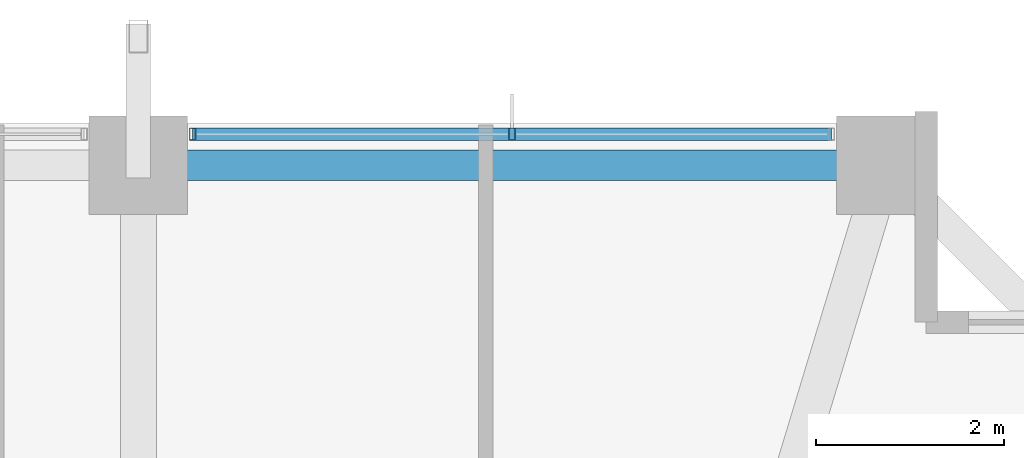
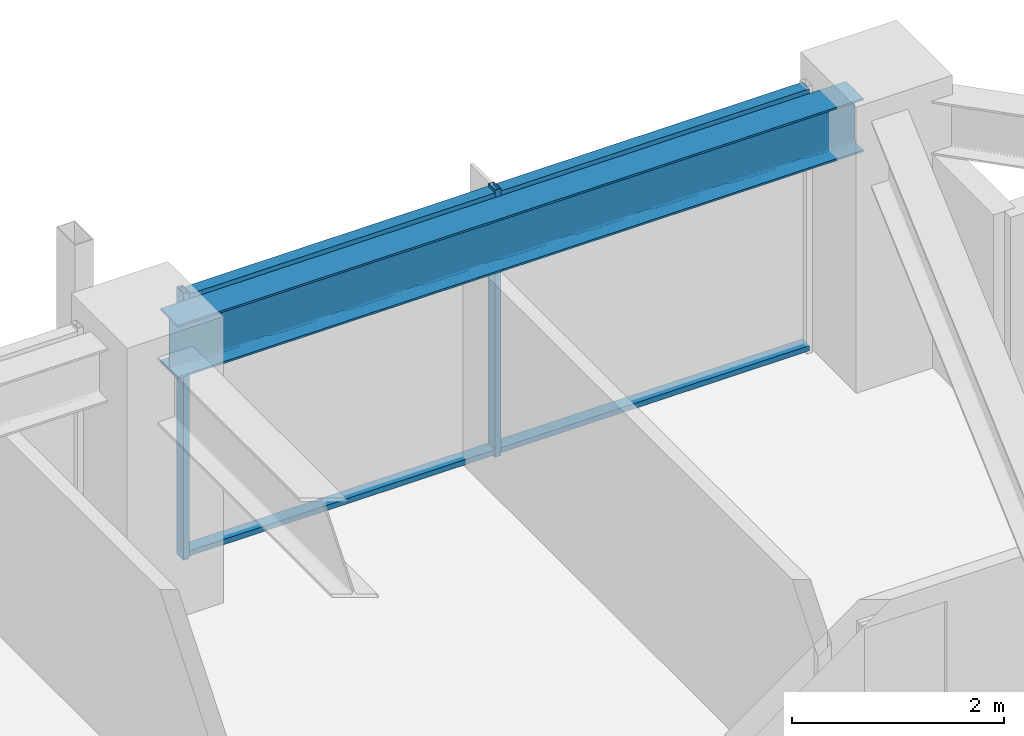
# One storey, part 21 of 35: 4 members, 1 beam, 1 element without a shape of its own.
"""IFC4 building model written with IfcOpenShell, lengths in metres."""

from ifc_helpers import new_model, si_unit, direction, frame, origin, origin_2d, place, context, subcontext, project, spatial, hollow_rectangle, i_section, extrude, material, material_profile, profile_set, type_object, element, aggregate, save


model = new_model("IFC4")

# Units and contexts
model_context = context("Model", 3, precision=1e-05, world=origin(), true_north=direction((0.0, 1.0)))
body_context = subcontext(model_context, "Body", "Model", "MODEL_VIEW")
ifc_project = project(units=[si_unit("LENGTHUNIT", "METRE"), si_unit("AREAUNIT", "SQUARE_METRE"), si_unit("VOLUMEUNIT", "CUBIC_METRE"), si_unit("PLANEANGLEUNIT", "RADIAN"), si_unit("MASSUNIT", "GRAM", prefix="KILO")], contexts=[model_context])

# Site, building, storey
site_placement = place(None, origin())
site = spatial("IfcSite", under=ifc_project, at=site_placement, CompositionType="ELEMENT")
building_placement = place(site_placement, origin())
building = spatial("IfcBuilding", under=site, at=building_placement, Name="Kolvaren Belvedere", CompositionType="ELEMENT")
storey_placement = place(building_placement, frame((0.0, 0.0, 115.10009765625)))
storey = spatial("IfcBuildingStorey", under=building, at=storey_placement, Name="L33", CompositionType="ELEMENT", Elevation=115.10009765625)

# Beam
ifc_material_1 = material(Name="Structural steel ASTM A992 Grade 50", Category="steel")
ifc_material_profile_1 = material_profile(ifc_material_1, i_section(OverallWidth=0.324951171875, OverallDepth=0.615966796875, WebThickness=0.013916015625, FlangeThickness=0.021484375, FilletRadius=0.02001953125, at=origin_2d()), Name="W24X117")
ifc_profile_set_1 = profile_set([ifc_material_profile_1], Name="Structural steel ASTM A992 Grade 50")
beam_type = type_object("IfcBeamType", Name="BM-SPAN-W24X117", PredefinedType="SPANDREL", material=ifc_profile_set_1)
beam_placement = place(storey_placement, frame((12.313720703125, 18.64990234375, 2.77197265625), z_axis=(-1.0, 0.0, 0.0), x_axis=(0.0, -1.0, 0.0)))
element("IfcBeam", 1, at=beam_placement, inside=storey, type_object=beam_type, Name="L33 Perimeter Spandrel N4-N3", PredefinedType="SPANDREL", context=body_context, shape_type="SweptSolid", body=[
    extrude(i_section(OverallWidth=0.324951171875, OverallDepth=0.615966796875, WebThickness=0.013916015625, FlangeThickness=0.021484375, FilletRadius=0.02001953125, at=origin_2d()), origin(), (0.0, 0.0, 1.0), 7.4775390625),
])

# Curtain wall, members
ifc_material_2 = material(Name="Anodised pale-metal aluminium AA 6063-T6", Category="aluminium")
curtain_wall_type = type_object("IfcCurtainWallType", Name="CW-Z3-WAIST", PredefinedType="NOTDEFINED", material=ifc_material_2)
curtain_wall_placement = place(storey_placement, origin())
curtain_wall = element("IfcCurtainWall", 2, at=curtain_wall_placement, inside=storey, type_object=curtain_wall_type, Name="L33 Unitised Curtain Wall FCW-L33-N-B3", PredefinedType="NOTDEFINED")
ifc_material_3 = material(Name="Anodised pale-metal aluminium AA 6063-T6", Category="aluminium")
ifc_material_profile_2 = material_profile(ifc_material_3, hollow_rectangle(XDim=0.06494140625, YDim=0.1298828125, WallThickness=0.00390625, at=origin_2d()), Name="ALU-MUL-130X65")
ifc_profile_set_2 = profile_set([ifc_material_profile_2], Name="Anodised pale-metal aluminium AA 6063-T6")
member_type_1 = type_object("IfcMemberType", Name="CW-MUL-130", PredefinedType="MULLION", material=ifc_profile_set_2)
member_1_placement = place(storey_placement, frame((5.177490234375, 18.97998046875, 0.0), z_axis=(0.0, 0.0, 1.0), x_axis=(1.0, 0.0, 0.0)))
member_1 = element("IfcMember", 3, at=member_1_placement, type_object=member_type_1, Name="FCW-L33-N-B3 Unitised Mullion 1", PredefinedType="MULLION", context=body_context, shape_type="SweptSolid", body=[
    extrude(hollow_rectangle(XDim=0.06494140625, YDim=0.1298828125, WallThickness=0.00390625, at=origin_2d()), origin(), (0.0, 0.0, 1.0), 3.079833984375),
])
member_2_placement = place(storey_placement, frame((8.574951171875, 18.97998046875, 0.0), z_axis=(0.0, 0.0, 1.0), x_axis=(1.0, 0.0, 0.0)))
member_2 = element("IfcMember", 4, at=member_2_placement, type_object=member_type_1, Name="FCW-L33-N-B3 Unitised Mullion 2", PredefinedType="MULLION", context=body_context, shape_type="SweptSolid", body=[
    extrude(hollow_rectangle(XDim=0.06494140625, YDim=0.1298828125, WallThickness=0.00390625, at=origin_2d()), origin(), (0.0, 0.0, 1.0), 3.079833984375),
])
ifc_material_4 = material(Name="Anodised pale-metal aluminium AA 6063-T6", Category="aluminium")
ifc_material_profile_3 = material_profile(ifc_material_4, hollow_rectangle(XDim=0.06005859375, YDim=0.1298828125, WallThickness=0.00390625, at=origin_2d()), Name="ALU-TRN-130X60")
ifc_profile_set_3 = profile_set([ifc_material_profile_3], Name="Anodised pale-metal aluminium AA 6063-T6")
member_type_2 = type_object("IfcMemberType", Name="CW-TRN-130", PredefinedType="USERDEFINED", material=ifc_profile_set_3)
member_3_placement = place(storey_placement, frame((5.177490234375, 18.97998046875, 0.059814453125), z_axis=(1.0, 0.0, 0.0), x_axis=(0.0, 0.0, 1.0)))
member_3 = element("IfcMember", 5, at=member_3_placement, type_object=member_type_2, Name="FCW-L33-N-B3 Sill Transom", ObjectType="TRANSOM", PredefinedType="USERDEFINED", context=body_context, shape_type="SweptSolid", body=[
    extrude(hollow_rectangle(XDim=0.06005859375, YDim=0.1298828125, WallThickness=0.00390625, at=origin_2d()), origin(), (0.0, 0.0, 1.0), 6.794921875),
])
member_4_placement = place(storey_placement, frame((5.177490234375, 18.97998046875, 3.02001953125), z_axis=(1.0, 0.0, 0.0), x_axis=(0.0, 0.0, 1.0)))
member_4 = element("IfcMember", 6, at=member_4_placement, type_object=member_type_2, Name="FCW-L33-N-B3 Head Transom", ObjectType="TRANSOM", PredefinedType="USERDEFINED", context=body_context, shape_type="SweptSolid", body=[
    extrude(hollow_rectangle(XDim=0.06005859375, YDim=0.1298828125, WallThickness=0.00390625, at=origin_2d()), origin(), (0.0, 0.0, 1.0), 6.794921875),
])
aggregate(curtain_wall, [member_1, member_2, member_3, member_4])

save(model, "model.ifc")
